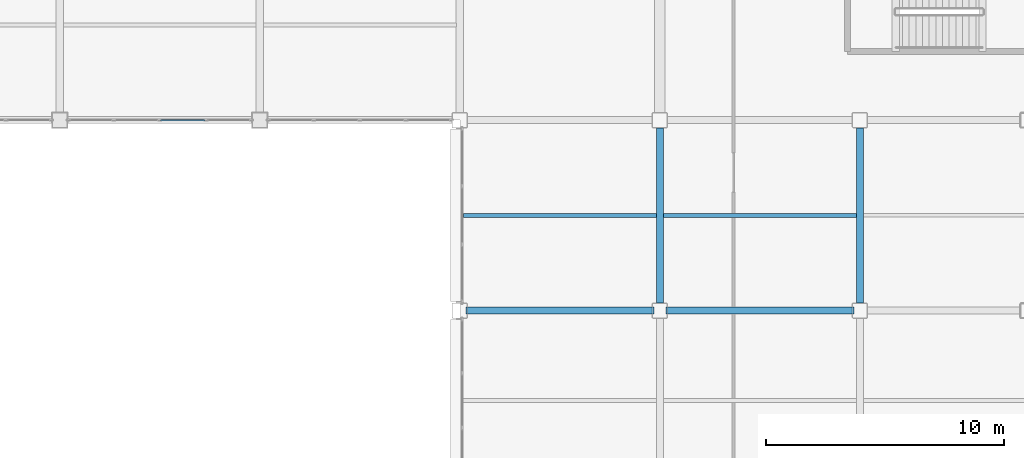
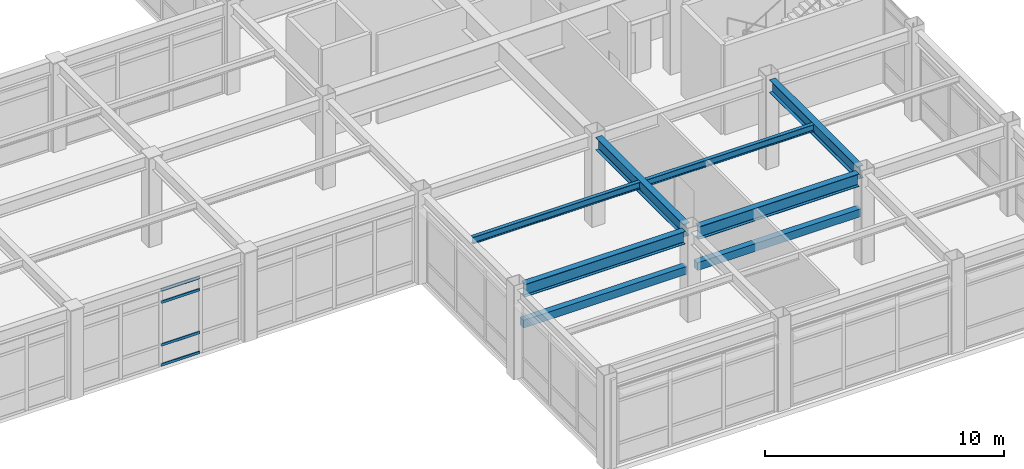
# One storey, part 49 of 93: 8 beams, 4 members, 1 element without a shape of its own.
"""IFC4 building model written with IfcOpenShell, lengths in metres."""

from ifc_helpers import new_model, si_unit, direction, frame, origin, origin_2d, place, context, subcontext, project, spatial, rectangle, hollow_rectangle, i_section, extrude, material, layer, layer_set, material_profile, profile_set, type_object, element, aggregate, save


model = new_model("IFC4")

# Units and contexts
model_context = context("Model", 3, precision=1e-05, world=origin(), true_north=direction((0.0, 1.0)))
body_context = subcontext(model_context, "Body", "Model", "MODEL_VIEW")
ifc_project = project(units=[si_unit("LENGTHUNIT", "METRE"), si_unit("AREAUNIT", "SQUARE_METRE"), si_unit("VOLUMEUNIT", "CUBIC_METRE"), si_unit("PLANEANGLEUNIT", "RADIAN"), si_unit("MASSUNIT", "GRAM", prefix="KILO")], contexts=[model_context])

# Site, building, storey
site_placement = place(None, origin())
site = spatial("IfcSite", under=ifc_project, at=site_placement, CompositionType="ELEMENT")
building_placement = place(site_placement, origin())
building = spatial("IfcBuilding", under=site, at=building_placement, Name="Kazehara Bluff Congress Hotel", CompositionType="ELEMENT")
storey_placement = place(building_placement, frame((0.0, 0.0, 15.0)))
storey = spatial("IfcBuildingStorey", under=building, at=storey_placement, Name="L03", CompositionType="ELEMENT", Elevation=15.0)

# Curtain wall, members
ifc_material_1 = material(Name="Anodised aluminium", Category="aluminium")
ifc_layer = layer(ifc_material_1, 0.159912109375)
ifc_layer_set = layer_set([ifc_layer], Name="Anodised aluminium")
curtain_wall_type = type_object("IfcCurtainWallType", Name="TP-CW-24", PredefinedType="NOTDEFINED", material=ifc_layer_set)
curtain_wall_placement = place(storey_placement, origin())
curtain_wall = element("IfcCurtainWall", 1, at=curtain_wall_placement, inside=storey, type_object=curtain_wall_type, Name="L03 curtain wall CW-24 CW-V5-L03-Y1600-12722", PredefinedType="NOTDEFINED")
ifc_material_2 = material(Name="Anodised aluminium", Category="aluminium")
ifc_material_profile_1 = material_profile(ifc_material_2, hollow_rectangle(XDim=0.06494140625, YDim=0.139892578125, WallThickness=0.00390625, InnerFilletRadius=0.00390625, OuterFilletRadius=0.008056640625, at=origin_2d()))
ifc_profile_set_1 = profile_set([ifc_material_profile_1], Name="Anodised aluminium")
member_type = type_object("IfcMemberType", Name="TP-CWT-02", PredefinedType="USERDEFINED", material=ifc_profile_set_1)
member_1_placement = place(storey_placement, frame((131.132568359375, 16.0, 0.032470703125), z_axis=(1.0, 0.0, 0.0), x_axis=(0.0, 1.0, 0.0)))
member_1 = element("IfcMember", 2, at=member_1_placement, type_object=member_type, Name="CW-24 transom 3.1", ObjectType="TRANSOM", PredefinedType="USERDEFINED", context=body_context, shape_type="SweptSolid", body=[
    extrude(hollow_rectangle(XDim=0.06494140625, YDim=0.139892578125, WallThickness=0.00390625, InnerFilletRadius=0.00390625, OuterFilletRadius=0.008056640625, at=origin_2d()), origin(), (0.0, 0.0, 1.0), 1.872314453125),
])
member_2_placement = place(storey_placement, frame((131.132568359375, 16.0, 1.050048828125), z_axis=(1.0, 0.0, 0.0), x_axis=(0.0, 1.0, 0.0)))
member_2 = element("IfcMember", 3, at=member_2_placement, type_object=member_type, Name="CW-24 transom 3.2", ObjectType="TRANSOM", PredefinedType="USERDEFINED", context=body_context, shape_type="SweptSolid", body=[
    extrude(hollow_rectangle(XDim=0.06494140625, YDim=0.139892578125, WallThickness=0.00390625, InnerFilletRadius=0.00390625, OuterFilletRadius=0.008056640625, at=origin_2d()), origin(), (0.0, 0.0, 1.0), 1.872314453125),
])
member_3_placement = place(storey_placement, frame((131.132568359375, 16.0, 3.235107421875), z_axis=(1.0, 0.0, 0.0), x_axis=(0.0, 1.0, 0.0)))
member_3 = element("IfcMember", 4, at=member_3_placement, type_object=member_type, Name="CW-24 transom 3.3", ObjectType="TRANSOM", PredefinedType="USERDEFINED", context=body_context, shape_type="SweptSolid", body=[
    extrude(hollow_rectangle(XDim=0.06494140625, YDim=0.139892578125, WallThickness=0.00390625, InnerFilletRadius=0.00390625, OuterFilletRadius=0.008056640625, at=origin_2d()), origin(), (0.0, 0.0, 1.0), 1.872314453125),
])
member_4_placement = place(storey_placement, frame((131.132568359375, 16.0, 3.8525390625), z_axis=(1.0, 0.0, 0.0), x_axis=(0.0, 1.0, 0.0)))
member_4 = element("IfcMember", 5, at=member_4_placement, type_object=member_type, Name="CW-24 transom 3.4", ObjectType="TRANSOM", PredefinedType="USERDEFINED", context=body_context, shape_type="SweptSolid", body=[
    extrude(hollow_rectangle(XDim=0.06494140625, YDim=0.139892578125, WallThickness=0.00390625, InnerFilletRadius=0.00390625, OuterFilletRadius=0.008056640625, at=origin_2d()), origin(), (0.0, 0.0, 1.0), 1.872314453125),
])
aggregate(curtain_wall, [member_1, member_2, member_3, member_4])

# Beams
ifc_material_3 = material(Name="Steel SN490B", Category="steel")
ifc_material_profile_2 = material_profile(ifc_material_3, i_section(OverallWidth=0.300048828125, OverallDepth=0.64990234375, WebThickness=0.011962890625, FlangeThickness=0.02001953125, FilletRadius=0.012939453125, at=origin_2d()))
ifc_profile_set_2 = profile_set([ifc_material_profile_2], Name="Steel SN490B")
beam_type_1 = type_object("IfcBeamType", Name="TP-G-03", PredefinedType="BEAM", material=ifc_profile_set_2)
for number, where, z_axis, x_axis, name in (
    (6, (152.10009765625, 8.324951171875, 4.235107421875), (0.0, 1.0, 0.0), (-1.0, 0.0, 0.0), "L03 girder G-03 123"),
    (7, (160.5, 8.324951171875, 4.235107421875), (0.0, 1.0, 0.0), (-1.0, 0.0, 0.0), "L03 girder G-03 130"),
):
    element("IfcBeam", number, at=place(storey_placement, frame(where, z_axis=z_axis, x_axis=x_axis)), inside=storey, type_object=beam_type_1, Name=name, PredefinedType="BEAM", context=body_context, shape_type="SweptSolid", body=[
        extrude(i_section(OverallWidth=0.300048828125, OverallDepth=0.64990234375, WebThickness=0.011962890625, FlangeThickness=0.02001953125, FilletRadius=0.012939453125, at=origin_2d()), origin(), (0.0, 0.0, 1.0), 7.35009765625),
    ])
for number, where, z_axis, x_axis, name in (
    (8, (144.02490234375, 8.0, 4.235107421875), (1.0, 0.0, 0.0), (0.0, 1.0, 0.0), "L03 girder G-03 154"),
    (9, (152.425048828125, 8.0, 4.235107421875), (1.0, 0.0, 0.0), (0.0, 1.0, 0.0), "L03 girder G-03 155"),
):
    element("IfcBeam", number, at=place(storey_placement, frame(where, z_axis=z_axis, x_axis=x_axis)), inside=storey, type_object=beam_type_1, Name=name, PredefinedType="BEAM", context=body_context, shape_type="SweptSolid", body=[
        extrude(i_section(OverallWidth=0.300048828125, OverallDepth=0.64990234375, WebThickness=0.011962890625, FlangeThickness=0.02001953125, FilletRadius=0.012939453125, at=origin_2d()), origin(), (0.0, 0.0, 1.0), 7.75),
    ])
ifc_material_4 = material(Name="Steel SN400B", Category="steel")
ifc_material_profile_3 = material_profile(ifc_material_4, i_section(OverallWidth=0.175048828125, OverallDepth=0.35009765625, WebThickness=0.007080078125, FlangeThickness=0.010986328125, FilletRadius=0.012939453125, at=origin_2d()))
ifc_profile_set_3 = profile_set([ifc_material_profile_3], Name="Steel SN400B")
beam_type_2 = type_object("IfcBeamType", Name="TP-J-02", PredefinedType="JOIST", material=ifc_profile_set_3)
beam_1_placement = place(storey_placement, frame((143.85009765625, 12.0, 4.385009765625), z_axis=(1.0, 0.0, 0.0), x_axis=(0.0, 1.0, 0.0)))
element("IfcBeam", 10, at=beam_1_placement, inside=storey, type_object=beam_type_2, Name="L03 secondary joist J-02 31", PredefinedType="JOIST", context=body_context, shape_type="SweptSolid", body=[
    extrude(i_section(OverallWidth=0.175048828125, OverallDepth=0.35009765625, WebThickness=0.007080078125, FlangeThickness=0.010986328125, FilletRadius=0.012939453125, at=origin_2d()), origin(), (0.0, 0.0, 1.0), 8.099853515625),
])
beam_2_placement = place(storey_placement, frame((152.25, 12.0, 4.385009765625), z_axis=(1.0, 0.0, 0.0), x_axis=(0.0, 1.0, 0.0)))
element("IfcBeam", 11, at=beam_2_placement, inside=storey, type_object=beam_type_2, Name="L03 secondary joist J-02 35", PredefinedType="JOIST", context=body_context, shape_type="SweptSolid", body=[
    extrude(i_section(OverallWidth=0.175048828125, OverallDepth=0.35009765625, WebThickness=0.007080078125, FlangeThickness=0.010986328125, FilletRadius=0.012939453125, at=origin_2d()), origin(), (0.0, 0.0, 1.0), 8.10009765625),
])
ifc_material_5 = material(Name="Concrete C40/50", Category="concrete")
ifc_material_profile_4 = material_profile(ifc_material_5, rectangle(XDim=0.300048828125, YDim=0.39990234375, at=origin_2d()))
ifc_profile_set_4 = profile_set([ifc_material_profile_4], Name="Concrete C40/50")
beam_type_3 = type_object("IfcBeamType", Name="TP-LN-02", PredefinedType="LINTEL", material=ifc_profile_set_4)
beam_3_placement = place(storey_placement, frame((143.949951171875, 8.0, 2.550048828125), z_axis=(1.0, 0.0, 0.0), x_axis=(0.0, 1.0, 0.0)))
element("IfcBeam", 12, at=beam_3_placement, inside=storey, type_object=beam_type_3, Name="L03 corridor portal lintel 5", PredefinedType="LINTEL", context=body_context, shape_type="SweptSolid", body=[
    extrude(rectangle(XDim=0.300048828125, YDim=0.39990234375, at=origin_2d()), origin(), (0.0, 0.0, 1.0), 7.900146484375),
])
beam_4_placement = place(storey_placement, frame((152.35009765625, 8.0, 2.550048828125), z_axis=(1.0, 0.0, 0.0), x_axis=(0.0, 1.0, 0.0)))
element("IfcBeam", 13, at=beam_4_placement, inside=storey, type_object=beam_type_3, Name="L03 corridor portal lintel 6", PredefinedType="LINTEL", context=body_context, shape_type="SweptSolid", body=[
    extrude(rectangle(XDim=0.300048828125, YDim=0.39990234375, at=origin_2d()), origin(), (0.0, 0.0, 1.0), 7.89990234375),
])

save(model, "model.ifc")
